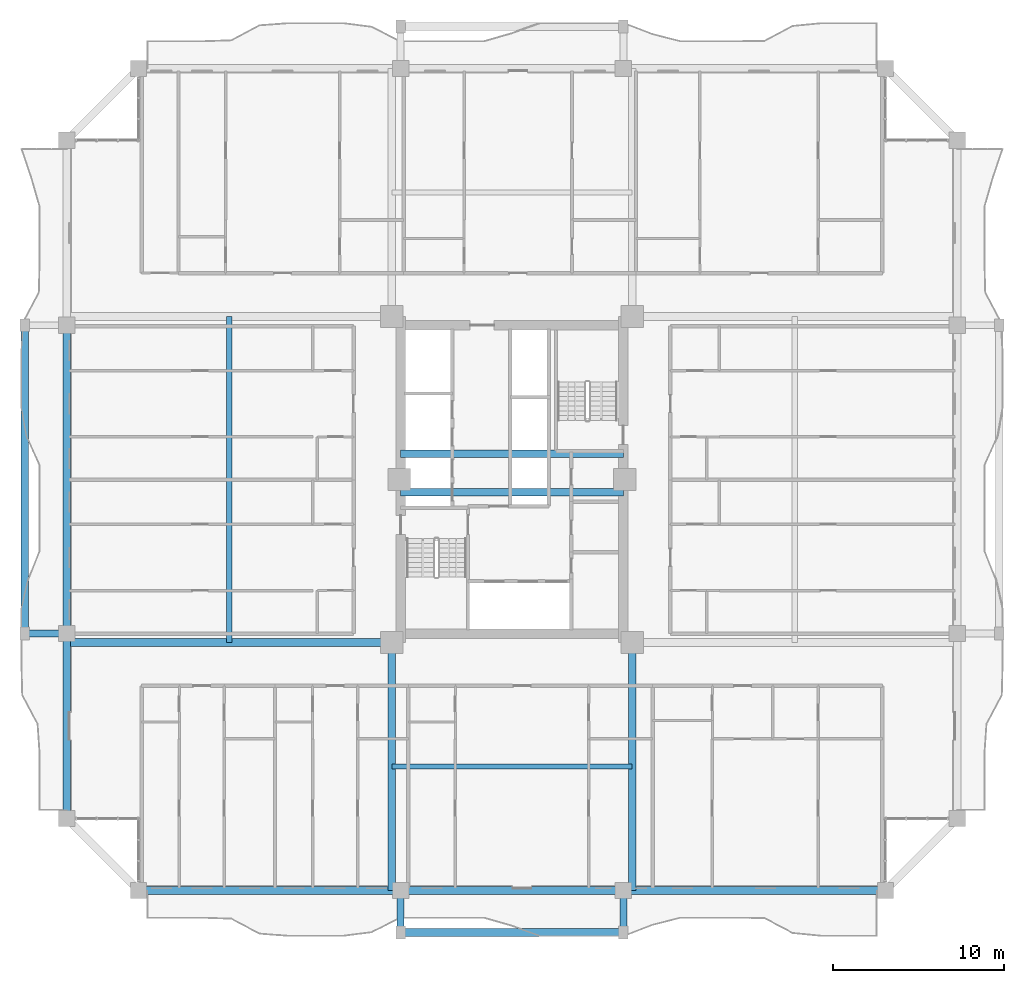
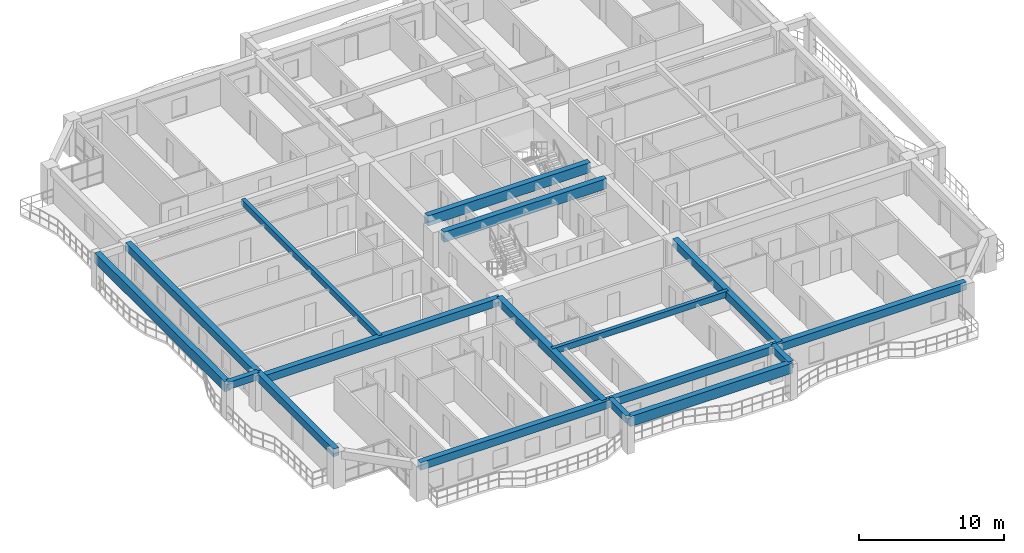
# One storey, part 3 of 25: 17 beams.
"""IFC4 building model written with IfcOpenShell, lengths in metres."""

from ifc_helpers import new_model, si_unit, direction, frame, origin, origin_2d, place, context, subcontext, project, spatial, rectangle, extrude, source, transform, mapped, material, material_profile, profile_set, type_object, element, save


model = new_model("IFC4")

# Units and contexts
model_context = context("Model", 3, precision=1e-05, world=origin(), true_north=direction((0.0, 1.0)))
body_context = subcontext(model_context, "Body", "Model", "MODEL_VIEW")
ifc_project = project(units=[si_unit("LENGTHUNIT", "METRE"), si_unit("AREAUNIT", "SQUARE_METRE"), si_unit("VOLUMEUNIT", "CUBIC_METRE"), si_unit("PLANEANGLEUNIT", "RADIAN"), si_unit("MASSUNIT", "GRAM", prefix="KILO")], contexts=[model_context])

# Site, building, storey
site_placement = place(None, origin())
site = spatial("IfcSite", under=ifc_project, at=site_placement, CompositionType="ELEMENT")
building_placement = place(site_placement, origin())
building = spatial("IfcBuilding", under=site, at=building_placement, Name="Saelheon Loggia Tower", CompositionType="ELEMENT")
storey_placement = place(building_placement, frame((0.0, 0.0, 80.85009765625)))
storey = spatial("IfcBuildingStorey", under=building, at=storey_placement, Name="L25", CompositionType="ELEMENT", Elevation=80.85009765625)

# Beams
ifc_material_1 = material(Name="Concrete C50/60", Category="concrete")
ifc_material_profile_1 = material_profile(ifc_material_1, rectangle(XDim=0.449951171875, YDim=0.85009765625, at=origin_2d()), Name="RC-450x850")
ifc_profile_set_1 = profile_set([ifc_material_profile_1], Name="Concrete C50/60")
beam_type_1 = type_object("IfcBeamType", Name="Beam_CoreLintel_RC450x850", PredefinedType="LINTEL", material=ifc_profile_set_1)
shared_shape_1 = source(origin(), body_context, "Body", "SweptSolid", [
    extrude(rectangle(XDim=0.449951171875, YDim=0.85009765625, at=origin_2d()), origin(), (0.0, 0.0, 1.0), 13.0),
])
for number, where, z_axis, x_axis, name in (
    (1, (31.5, 26.25, 2.574951171875), (1.0, 0.0, 0.0), (0.0, 1.0, 0.0), "L25 Core Coupling Lintel 1"),
    (2, (31.5, 28.5, 2.574951171875), (1.0, 0.0, 0.0), (0.0, 1.0, 0.0), "L25 Core Coupling Lintel 2"),
):
    element("IfcBeam", number, at=place(storey_placement, frame(where, z_axis=z_axis, x_axis=x_axis)), inside=storey, type_object=beam_type_1, Name=name, PredefinedType="LINTEL", context=body_context, shape_type="MappedRepresentation", body=[
        mapped(shared_shape_1, transform((0.0, 0.0, 0.0), scale=1.0)),
    ])
ifc_material_2 = material(Name="Precast Concrete C45/55", Category="concrete")
ifc_material_profile_2 = material_profile(ifc_material_2, rectangle(XDim=0.449951171875, YDim=0.85009765625, at=origin_2d()), Name="RC-450x850")
ifc_profile_set_2 = profile_set([ifc_material_profile_2], Name="Precast Concrete C45/55")
beam_type_2 = type_object("IfcBeamType", Name="Beam_LoggiaSpandrel_RC450x850", PredefinedType="SPANDREL", material=ifc_profile_set_2)
beam_1_placement = place(storey_placement, frame((31.5, 0.550048828125, 2.574951171875), z_axis=(1.0, 0.0, 0.0), x_axis=(0.0, 1.0, 0.0)))
element("IfcBeam", 3, at=beam_1_placement, inside=storey, type_object=beam_type_2, Name="L25 Loggia Spandrel Beam S", PredefinedType="SPANDREL", context=body_context, shape_type="MappedRepresentation", body=[
    mapped(shared_shape_1, transform((0.0, 0.0, 0.0), scale=1.0)),
])
ifc_material_profile_3 = material_profile(ifc_material_2, rectangle(XDim=0.39990234375, YDim=0.60009765625, at=origin_2d()), Name="RC-400x600")
ifc_profile_set_3 = profile_set([ifc_material_profile_3], Name="Precast Concrete C45/55")
beam_type_3 = type_object("IfcBeamType", Name="Beam_LoggiaTie_RC400x600", PredefinedType="BEAM", material=ifc_profile_set_3)
shared_shape_2 = source(origin(), body_context, "Body", "SweptSolid", [
    extrude(rectangle(XDim=0.39990234375, YDim=0.60009765625, at=origin_2d()), origin(), (0.0, 0.0, 1.0), 2.449951171875),
])
for number, where, z_axis, x_axis, name in (
    (4, (31.5, 3.0, 2.699951171875), (0.0, -1.0, 0.0), (1.0, 0.0, 0.0), "L25 Loggia Frame Tie Beam LP-S1"),
    (5, (44.5, 3.0, 2.699951171875), (0.0, -1.0, 0.0), (1.0, 0.0, 0.0), "L25 Loggia Frame Tie Beam LP-S2"),
    (6, (12.0, 18.0, 2.699951171875), (-1.0, 0.0, 0.0), (0.0, -1.0, 0.0), "L25 Loggia Frame Tie Beam LP-W1"),
):
    element("IfcBeam", number, at=place(storey_placement, frame(where, z_axis=z_axis, x_axis=x_axis)), inside=storey, type_object=beam_type_3, Name=name, PredefinedType="BEAM", context=body_context, shape_type="MappedRepresentation", body=[
        mapped(shared_shape_2, transform((0.0, 0.0, 0.0), scale=1.0)),
    ])
shared_shape_3 = source(origin(), body_context, "Body", "SweptSolid", [
    extrude(rectangle(XDim=0.449951171875, YDim=0.85009765625, at=origin_2d()), origin(), (0.0, 0.0, 1.0), 18.0),
])
beam_2_placement = place(storey_placement, frame((9.550048828125, 18.0, 2.574951171875), z_axis=(0.0, 1.0, 0.0), x_axis=(-1.0, 0.0, 0.0)))
element("IfcBeam", 7, at=beam_2_placement, inside=storey, type_object=beam_type_2, Name="L25 Loggia Spandrel Beam W", PredefinedType="SPANDREL", context=body_context, shape_type="MappedRepresentation", body=[
    mapped(shared_shape_3, transform((0.0, 0.0, 0.0), scale=1.0)),
])
ifc_material_3 = material(Name="Concrete C40/50", Category="concrete")
ifc_material_profile_4 = material_profile(ifc_material_3, rectangle(XDim=0.449951171875, YDim=0.64990234375, at=origin_2d()), Name="RC-450x650")
ifc_profile_set_4 = profile_set([ifc_material_profile_4], Name="Concrete C40/50")
beam_type_4 = type_object("IfcBeamType", Name="Beam_PerimTower_RC450x650", PredefinedType="BEAM", material=ifc_profile_set_4)
shared_shape_4 = source(origin(), body_context, "Body", "SweptSolid", [
    extrude(rectangle(XDim=0.449951171875, YDim=0.64990234375, at=origin_2d()), origin(), (0.0, 0.0, 1.0), 15.300048828125),
])
for number, where, z_axis, x_axis, name in (
    (8, (16.199951171875, 3.0, 2.6748046875), (1.0, 0.0, 0.0), (0.0, 1.0, 0.0), "L25 Perimeter Frame Girder 01"),
    (9, (44.5, 3.0, 2.6748046875), (1.0, 0.0, 0.0), (0.0, 1.0, 0.0), "L25 Perimeter Frame Girder 03"),
):
    element("IfcBeam", number, at=place(storey_placement, frame(where, z_axis=z_axis, x_axis=x_axis)), inside=storey, type_object=beam_type_4, Name=name, PredefinedType="BEAM", context=body_context, shape_type="MappedRepresentation", body=[
        mapped(shared_shape_4, transform((0.0, 0.0, 0.0), scale=1.0)),
    ])
shared_shape_5 = source(origin(), body_context, "Body", "SweptSolid", [
    extrude(rectangle(XDim=0.449951171875, YDim=0.64990234375, at=origin_2d()), origin(), (0.0, 0.0, 1.0), 13.0),
])
beam_3_placement = place(storey_placement, frame((31.5, 3.0, 2.6748046875), z_axis=(1.0, 0.0, 0.0), x_axis=(0.0, 1.0, 0.0)))
element("IfcBeam", 10, at=beam_3_placement, inside=storey, type_object=beam_type_4, Name="L25 Perimeter Frame Girder 02", PredefinedType="BEAM", context=body_context, shape_type="MappedRepresentation", body=[
    mapped(shared_shape_5, transform((0.0, 0.0, 0.0), scale=1.0)),
])
shared_shape_6 = source(origin(), body_context, "Body", "SweptSolid", [
    extrude(rectangle(XDim=0.449951171875, YDim=0.64990234375, at=origin_2d()), origin(), (0.0, 0.0, 1.0), 10.800048828125),
])
beam_4_placement = place(storey_placement, frame((12.0, 18.0, 2.6748046875), z_axis=(0.0, -1.0, 0.0), x_axis=(1.0, 0.0, 0.0)))
element("IfcBeam", 11, at=beam_4_placement, inside=storey, type_object=beam_type_4, Name="L25 Perimeter Frame Girder 15", PredefinedType="BEAM", context=body_context, shape_type="MappedRepresentation", body=[
    mapped(shared_shape_6, transform((0.0, 0.0, 0.0), scale=1.0)),
])
shared_shape_7 = source(origin(), body_context, "Body", "SweptSolid", [
    extrude(rectangle(XDim=0.449951171875, YDim=0.64990234375, at=origin_2d()), origin(), (0.0, 0.0, 1.0), 18.0),
])
beam_5_placement = place(storey_placement, frame((12.0, 36.0, 2.6748046875), z_axis=(0.0, -1.0, 0.0), x_axis=(1.0, 0.0, 0.0)))
element("IfcBeam", 12, at=beam_5_placement, inside=storey, type_object=beam_type_4, Name="L25 Perimeter Frame Girder 14", PredefinedType="BEAM", context=body_context, shape_type="MappedRepresentation", body=[
    mapped(shared_shape_7, transform((0.0, 0.0, 0.0), scale=1.0)),
])
ifc_material_profile_5 = material_profile(ifc_material_3, rectangle(XDim=0.449951171875, YDim=0.64990234375, at=origin_2d()), Name="RC-450x650")
ifc_profile_set_5 = profile_set([ifc_material_profile_5], Name="Concrete C40/50")
beam_type_5 = type_object("IfcBeamType", Name="Beam_TowerGirder_RC450x650", PredefinedType="BEAM", material=ifc_profile_set_5)
shared_shape_8 = source(origin(), body_context, "Body", "SweptSolid", [
    extrude(rectangle(XDim=0.449951171875, YDim=0.64990234375, at=origin_2d()), origin(), (0.0, 0.0, 1.0), 14.47998046875),
])
for number, where, z_axis, x_axis, name in (
    (13, (30.97998046875, 17.47998046875, 2.6748046875), (0.0, -1.0, 0.0), (1.0, 0.0, 0.0), "L25 Radial Floor Girder RAD-SW-S"),
    (14, (45.02001953125, 17.47998046875, 2.6748046875), (0.0, -1.0, 0.0), (1.0, 0.0, 0.0), "L25 Radial Floor Girder RAD-SE-S"),
):
    element("IfcBeam", number, at=place(storey_placement, frame(where, z_axis=z_axis, x_axis=x_axis)), inside=storey, type_object=beam_type_5, Name=name, PredefinedType="BEAM", context=body_context, shape_type="MappedRepresentation", body=[
        mapped(shared_shape_8, transform((0.0, 0.0, 0.0), scale=1.0)),
    ])
shared_shape_9 = source(origin(), body_context, "Body", "SweptSolid", [
    extrude(rectangle(XDim=0.449951171875, YDim=0.64990234375, at=origin_2d()), origin(), (0.0, 0.0, 1.0), 18.97998046875),
])
beam_6_placement = place(storey_placement, frame((30.97998046875, 17.47998046875, 2.6748046875), z_axis=(-1.0, 0.0, 0.0), x_axis=(0.0, -1.0, 0.0)))
element("IfcBeam", 15, at=beam_6_placement, inside=storey, type_object=beam_type_5, Name="L25 Radial Floor Girder RAD-SW-W", PredefinedType="BEAM", context=body_context, shape_type="MappedRepresentation", body=[
    mapped(shared_shape_9, transform((0.0, 0.0, 0.0), scale=1.0)),
])
ifc_material_profile_6 = material_profile(ifc_material_3, rectangle(XDim=0.300048828125, YDim=0.5, at=origin_2d()), Name="RC-300x500")
ifc_profile_set_6 = profile_set([ifc_material_profile_6], Name="Concrete C40/50")
beam_type_6 = type_object("IfcBeamType", Name="Beam_Joist_RC300x500", PredefinedType="JOIST", material=ifc_profile_set_6)
shared_shape_10 = source(origin(), body_context, "Body", "SweptSolid", [
    extrude(rectangle(XDim=0.300048828125, YDim=0.5, at=origin_2d()), origin(), (0.0, 0.0, 1.0), 14.0400390625),
])
beam_7_placement = place(storey_placement, frame((30.97998046875, 10.239990234375, 2.75), z_axis=(1.0, 0.0, 0.0), x_axis=(0.0, 1.0, 0.0)))
element("IfcBeam", 16, at=beam_7_placement, inside=storey, type_object=beam_type_6, Name="L25 South Floor Joist", PredefinedType="JOIST", context=body_context, shape_type="MappedRepresentation", body=[
    mapped(shared_shape_10, transform((0.0, 0.0, 0.0), scale=1.0)),
])
shared_shape_11 = source(origin(), body_context, "Body", "SweptSolid", [
    extrude(rectangle(XDim=0.300048828125, YDim=0.5, at=origin_2d()), origin(), (0.0, 0.0, 1.0), 19.0400390625),
])
beam_8_placement = place(storey_placement, frame((21.489990234375, 17.47998046875, 2.75), z_axis=(0.0, 1.0, 0.0), x_axis=(-1.0, 0.0, 0.0)))
element("IfcBeam", 17, at=beam_8_placement, inside=storey, type_object=beam_type_6, Name="L25 West Floor Joist", PredefinedType="JOIST", context=body_context, shape_type="MappedRepresentation", body=[
    mapped(shared_shape_11, transform((0.0, 0.0, 0.0), scale=1.0)),
])

save(model, "model.ifc")
